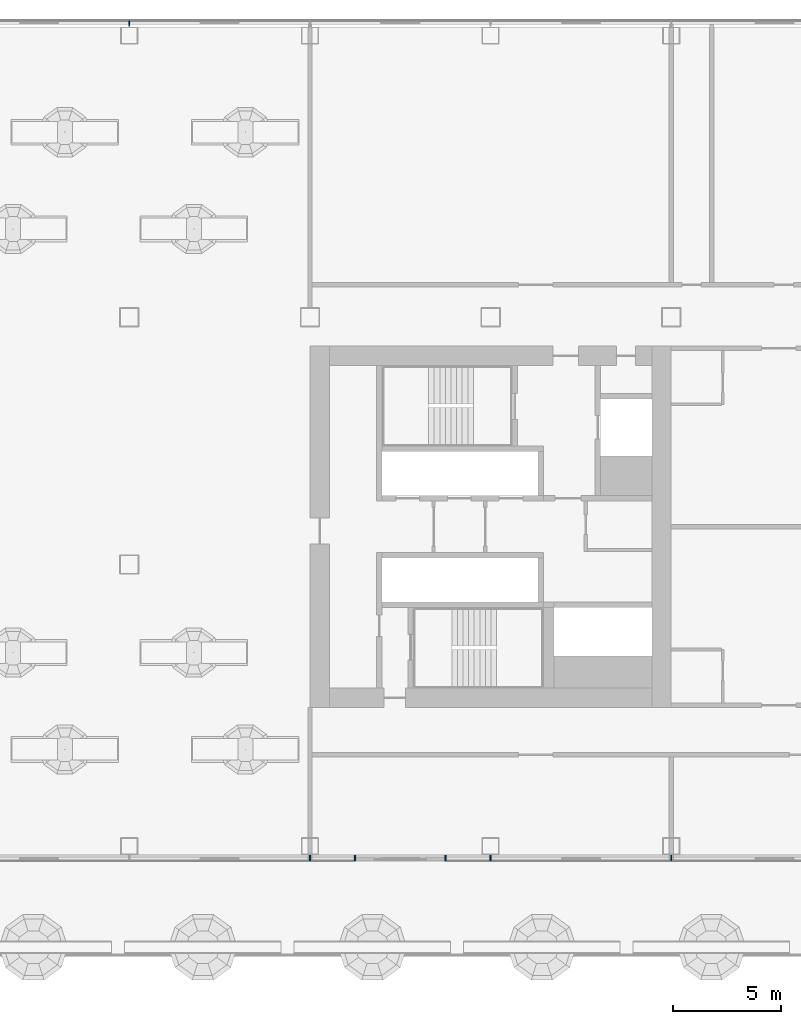
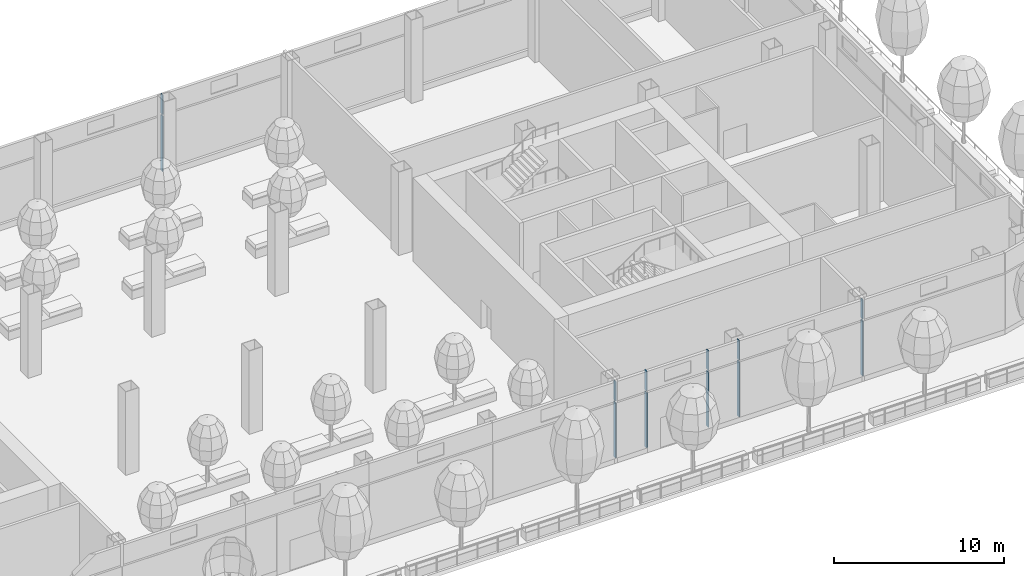
# One storey, part 8 of 44: 12 members, 2 elements without a shape of their own.
"""IFC4 building model written with IfcOpenShell, lengths in metres."""

from ifc_helpers import new_model, si_unit, direction, frame, origin, origin_2d, place, context, subcontext, project, spatial, rectangle, extrude, material, layer, layer_set, material_profile, profile_set, type_object, element, aggregate, save


model = new_model("IFC4")

# Units and contexts
model_context = context("Model", 3, precision=1e-05, world=origin(), true_north=direction((0.0, 1.0)))
body_context = subcontext(model_context, "Body", "Model", "MODEL_VIEW")
ifc_project = project(units=[si_unit("LENGTHUNIT", "METRE"), si_unit("AREAUNIT", "SQUARE_METRE"), si_unit("VOLUMEUNIT", "CUBIC_METRE"), si_unit("PLANEANGLEUNIT", "RADIAN"), si_unit("MASSUNIT", "GRAM", prefix="KILO")], contexts=[model_context])

# Site, building, storey
site_placement = place(None, origin())
site = spatial("IfcSite", under=ifc_project, at=site_placement, CompositionType="ELEMENT")
building_placement = place(site_placement, origin())
building = spatial("IfcBuilding", under=site, at=building_placement, Name="Hakoniwa Tower and Hamabe Station Hall", CompositionType="ELEMENT")
storey_placement = place(building_placement, frame((0.0, 0.0, 69.0)))
storey = spatial("IfcBuildingStorey", under=building, at=storey_placement, Name="L19", CompositionType="ELEMENT", Elevation=69.0)

# Curtain wall, members
ifc_material_1 = material(Name="Dark low-e laminated glass", Category="glass")
ifc_layer = layer(ifc_material_1, 0.199951171875)
ifc_layer_set = layer_set([ifc_layer], Name="CW-2 SKY GARDEN")
curtain_wall_type = type_object("IfcCurtainWallType", Name="CW-2 SKY GARDEN", PredefinedType="NOTDEFINED", material=ifc_layer_set)
curtain_wall_1_placement = place(storey_placement, origin())
curtain_wall_1 = element("IfcCurtainWall", 1, at=curtain_wall_1_placement, inside=storey, type_object=curtain_wall_type, Name="CW-2 curtain wall", PredefinedType="NOTDEFINED")
ifc_material_2 = material(Name="Aluminium 6063-T5 black anodised", Category="aluminium")
ifc_material_profile = material_profile(ifc_material_2, rectangle(XDim=0.06005859375, YDim=0.239990234375, at=origin_2d()), Name="CW-2 MULLION 60X240")
ifc_profile_set = profile_set([ifc_material_profile], Name="Aluminium 6063-T5 black anodised")
member_type = type_object("IfcMemberType", Name="CW-2 MULLION 60X240", PredefinedType="MULLION", material=ifc_profile_set)
member_1_placement = place(storey_placement, frame((8.39990234375, 23.402099609375, 0.35009765625), z_axis=(0.0, 0.0, 1.0), x_axis=(-1.0, 0.0, 0.0)))
member_1 = element("IfcMember", 2, at=member_1_placement, type_object=member_type, Name="CW-2 mullion", PredefinedType="MULLION", context=body_context, shape_type="SweptSolid", body=[
    extrude(rectangle(XDim=0.06005859375, YDim=0.239990234375, at=origin_2d()), origin(), (0.0, 0.0, 1.0), 3.97998046875),
])
member_2_placement = place(storey_placement, frame((8.39990234375, 23.402099609375, 4.449951171875), z_axis=(0.0, 0.0, 1.0), x_axis=(-1.0, 0.0, 0.0)))
member_2 = element("IfcMember", 3, at=member_2_placement, type_object=member_type, Name="CW-2 mullion", PredefinedType="MULLION", context=body_context, shape_type="SweptSolid", body=[
    extrude(rectangle(XDim=0.06005859375, YDim=0.239990234375, at=origin_2d()), origin(), (0.0, 0.0, 1.0), 1.400146484375),
])
aggregate(curtain_wall_1, [member_1, member_2])

curtain_wall_2_placement = place(storey_placement, origin())
curtain_wall_2 = element("IfcCurtainWall", 4, at=curtain_wall_2_placement, inside=storey, type_object=curtain_wall_type, Name="CW-2 curtain wall", PredefinedType="NOTDEFINED")
member_3_placement = place(storey_placement, frame((16.800048828125, -15.402099609375, 0.35009765625), z_axis=(0.0, 0.0, 1.0), x_axis=(1.0, 0.0, 0.0)))
member_3 = element("IfcMember", 5, at=member_3_placement, type_object=member_type, Name="CW-2 mullion", PredefinedType="MULLION", context=body_context, shape_type="SweptSolid", body=[
    extrude(rectangle(XDim=0.06005859375, YDim=0.239990234375, at=origin_2d()), origin(), (0.0, 0.0, 1.0), 3.97998046875),
])
member_4_placement = place(storey_placement, frame((16.800048828125, -15.402099609375, 4.449951171875), z_axis=(0.0, 0.0, 1.0), x_axis=(1.0, 0.0, 0.0)))
member_4 = element("IfcMember", 6, at=member_4_placement, type_object=member_type, Name="CW-2 mullion", PredefinedType="MULLION", context=body_context, shape_type="SweptSolid", body=[
    extrude(rectangle(XDim=0.06005859375, YDim=0.239990234375, at=origin_2d()), origin(), (0.0, 0.0, 1.0), 1.400146484375),
])
member_5_placement = place(storey_placement, frame((18.89990234375, -15.402099609375, 0.35009765625), z_axis=(0.0, 0.0, 1.0), x_axis=(1.0, 0.0, 0.0)))
member_5 = element("IfcMember", 7, at=member_5_placement, type_object=member_type, Name="CW-2 mullion", PredefinedType="MULLION", context=body_context, shape_type="SweptSolid", body=[
    extrude(rectangle(XDim=0.06005859375, YDim=0.239990234375, at=origin_2d()), origin(), (0.0, 0.0, 1.0), 3.97998046875),
])
member_6_placement = place(storey_placement, frame((18.89990234375, -15.402099609375, 4.449951171875), z_axis=(0.0, 0.0, 1.0), x_axis=(1.0, 0.0, 0.0)))
member_6 = element("IfcMember", 8, at=member_6_placement, type_object=member_type, Name="CW-2 mullion", PredefinedType="MULLION", context=body_context, shape_type="SweptSolid", body=[
    extrude(rectangle(XDim=0.06005859375, YDim=0.239990234375, at=origin_2d()), origin(), (0.0, 0.0, 1.0), 1.400146484375),
])
member_7_placement = place(storey_placement, frame((23.10009765625, -15.402099609375, 0.35009765625), z_axis=(0.0, 0.0, 1.0), x_axis=(1.0, 0.0, 0.0)))
member_7 = element("IfcMember", 9, at=member_7_placement, type_object=member_type, Name="CW-2 mullion", PredefinedType="MULLION", context=body_context, shape_type="SweptSolid", body=[
    extrude(rectangle(XDim=0.06005859375, YDim=0.239990234375, at=origin_2d()), origin(), (0.0, 0.0, 1.0), 3.97998046875),
])
member_8_placement = place(storey_placement, frame((23.10009765625, -15.402099609375, 4.449951171875), z_axis=(0.0, 0.0, 1.0), x_axis=(1.0, 0.0, 0.0)))
member_8 = element("IfcMember", 10, at=member_8_placement, type_object=member_type, Name="CW-2 mullion", PredefinedType="MULLION", context=body_context, shape_type="SweptSolid", body=[
    extrude(rectangle(XDim=0.06005859375, YDim=0.239990234375, at=origin_2d()), origin(), (0.0, 0.0, 1.0), 1.400146484375),
])
member_9_placement = place(storey_placement, frame((25.199951171875, -15.402099609375, 0.35009765625), z_axis=(0.0, 0.0, 1.0), x_axis=(1.0, 0.0, 0.0)))
member_9 = element("IfcMember", 11, at=member_9_placement, type_object=member_type, Name="CW-2 mullion", PredefinedType="MULLION", context=body_context, shape_type="SweptSolid", body=[
    extrude(rectangle(XDim=0.06005859375, YDim=0.239990234375, at=origin_2d()), origin(), (0.0, 0.0, 1.0), 3.97998046875),
])
member_10_placement = place(storey_placement, frame((25.199951171875, -15.402099609375, 4.449951171875), z_axis=(0.0, 0.0, 1.0), x_axis=(1.0, 0.0, 0.0)))
member_10 = element("IfcMember", 12, at=member_10_placement, type_object=member_type, Name="CW-2 mullion", PredefinedType="MULLION", context=body_context, shape_type="SweptSolid", body=[
    extrude(rectangle(XDim=0.06005859375, YDim=0.239990234375, at=origin_2d()), origin(), (0.0, 0.0, 1.0), 1.400146484375),
])
member_11_placement = place(storey_placement, frame((33.60009765625, -15.402099609375, 0.35009765625), z_axis=(0.0, 0.0, 1.0), x_axis=(1.0, 0.0, 0.0)))
member_11 = element("IfcMember", 13, at=member_11_placement, type_object=member_type, Name="CW-2 mullion", PredefinedType="MULLION", context=body_context, shape_type="SweptSolid", body=[
    extrude(rectangle(XDim=0.06005859375, YDim=0.239990234375, at=origin_2d()), origin(), (0.0, 0.0, 1.0), 3.97998046875),
])
member_12_placement = place(storey_placement, frame((33.60009765625, -15.402099609375, 4.449951171875), z_axis=(0.0, 0.0, 1.0), x_axis=(1.0, 0.0, 0.0)))
member_12 = element("IfcMember", 14, at=member_12_placement, type_object=member_type, Name="CW-2 mullion", PredefinedType="MULLION", context=body_context, shape_type="SweptSolid", body=[
    extrude(rectangle(XDim=0.06005859375, YDim=0.239990234375, at=origin_2d()), origin(), (0.0, 0.0, 1.0), 1.400146484375),
])
aggregate(curtain_wall_2, [member_3, member_4, member_5, member_6, member_7, member_8, member_9, member_10, member_11, member_12])

save(model, "model.ifc")
